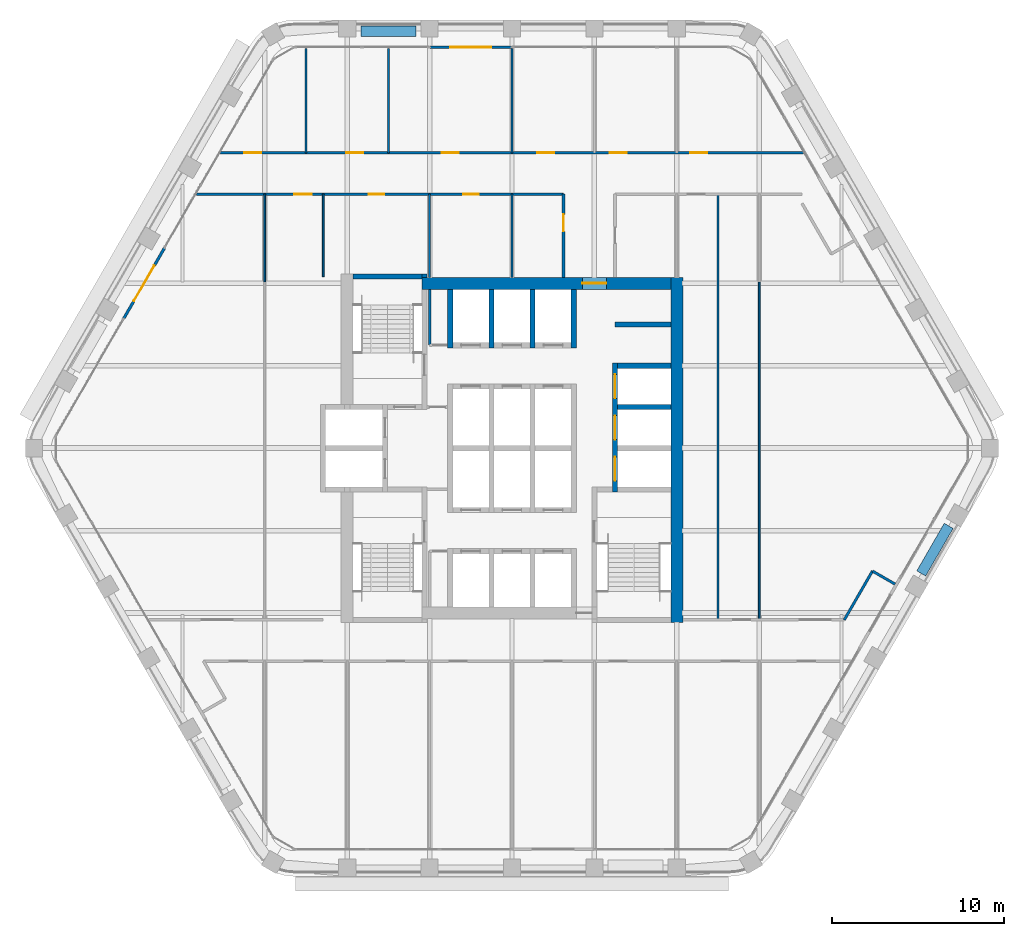
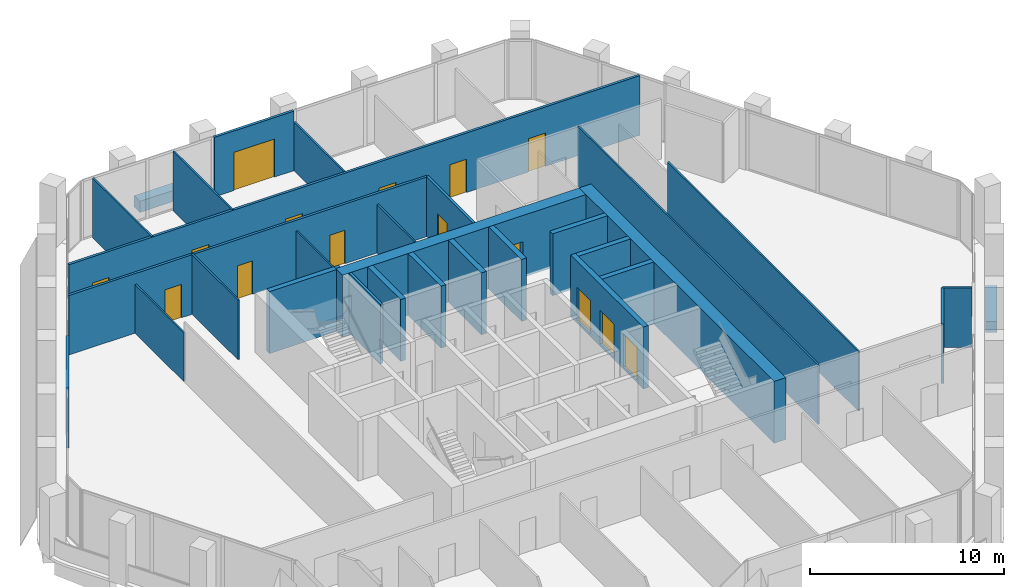
# One storey, part 11 of 15: 31 walls, 16 doors, 16 openings.
"""IFC4 building model written with IfcOpenShell, lengths in metres."""

from ifc_helpers import new_model, si_unit, direction, frame, frame_2d, origin, place, context, subcontext, project, spatial, rectangle, extrude, material, layer, layer_set, type_object, element, fill, save


model = new_model("IFC4")

# Units and contexts
model_context = context("Model", 3, precision=1e-05, world=origin(), true_north=direction((0.0, 1.0)))
body_context = subcontext(model_context, "Body", "Model", "MODEL_VIEW")
ifc_project = project(units=[si_unit("LENGTHUNIT", "METRE"), si_unit("AREAUNIT", "SQUARE_METRE"), si_unit("VOLUMEUNIT", "CUBIC_METRE"), si_unit("PLANEANGLEUNIT", "RADIAN"), si_unit("MASSUNIT", "GRAM", prefix="KILO")], contexts=[model_context])

# Site, building, storey
site_placement = place(None, origin())
site = spatial("IfcSite", under=ifc_project, at=site_placement, CompositionType="ELEMENT")
building_placement = place(site_placement, origin())
building = spatial("IfcBuilding", under=site, at=building_placement, Name="Kolab Exchange Tower", CompositionType="ELEMENT")
storey_placement = place(building_placement, frame((0.0, 0.0, 189.5)))
storey = spatial("IfcBuildingStorey", under=building, at=storey_placement, Name="L40", CompositionType="ELEMENT", Elevation=189.5)

# Wall, opening, door
ifc_material_1 = material(Name="Concrete C60/75", Category="concrete")
ifc_layer_1 = layer(ifc_material_1, 0.699951171875)
ifc_layer_set_1 = layer_set([ifc_layer_1], Name="Concrete C60/75")
wall_type_1 = type_object("IfcWallType", Name="CORE WALL 700 C60/75", PredefinedType="SHEAR", material=ifc_layer_set_1)
wall_1_placement = place(storey_placement, frame((-5.25, 9.60009765625, -0.14990234375), z_axis=(0.0, 0.0, 1.0), x_axis=(1.0, 0.0, 0.0)))
wall_1 = element("IfcWall", 1, at=wall_1_placement, inside=storey, type_object=wall_type_1, Name="wall/L40/core/031", PredefinedType="SHEAR", context=body_context, shape_type="SweptSolid", body=[
    extrude(rectangle(XDim=14.5, YDim=0.699951171875, at=frame_2d((7.25, 0.0))), origin(), (0.0, 0.0, 1.0), 3.89990234375),
])
opening_1_placement = place(wall_1_placement, frame((9.35009765625, 0.0, 0.14990234375)))
opening_1 = element("IfcOpeningElement", 2, at=opening_1_placement, cuts=wall_1, Name="Opening D5-010", PredefinedType="OPENING", context=body_context, shape_type="SweptSolid", body=[
    extrude(rectangle(XDim=1.39990234375, YDim=2.10009765625, at=frame_2d((0.699951171875, 1.050048828125))), frame((0.0, 0.35986328125, 0.0), z_axis=(0.0, -1.0, 0.0), x_axis=(1.0, 0.0, 0.0)), (0.0, 0.0, 1.0), 0.719970703125),
])
ifc_material_2 = material(Name="Steel S235", Category="steel")
door_type_1 = type_object("IfcDoorType", Name="CORE DOOR 1400 EI 120", OperationType="DOUBLE_DOOR_SINGLE_SWING", PredefinedType="DOOR", material=ifc_material_2)
door_1_placement = place(opening_1_placement, frame((1.39990234375, 0.0, 0.0), z_axis=(0.0, 0.0, 1.0), x_axis=(-1.0, 0.0, 0.0)))
door_1 = element("IfcDoor", 3, at=door_1_placement, inside=storey, type_object=door_type_1, Name="Core lobby door", OperationType="SINGLE_SWING_LEFT", OverallHeight=2.10009765625, OverallWidth=1.39990234375, PredefinedType="DOOR", context=body_context, shape_type="SweptSolid", body=[
    extrude(rectangle(XDim=1.39990234375, YDim=2.10009765625, at=frame_2d((0.699951171875, 1.050048828125))), frame((0.0, 0.02490234375, 0.0), z_axis=(0.0, -1.0, 0.0), x_axis=(1.0, 0.0, 0.0)), (0.0, 0.0, 1.0), 0.050048828125),
])
fill(opening_1, door_1)

# Wall
wall_2_placement = place(storey_placement, frame((9.60009765625, -10.14990234375, -0.14990234375), z_axis=(0.0, 0.0, 1.0), x_axis=(0.0, 1.0, 0.0)))
element("IfcWall", 4, at=wall_2_placement, inside=storey, type_object=wall_type_1, Name="wall/L40/core/058", PredefinedType="SHEAR", context=body_context, shape_type="SweptSolid", body=[
    extrude(rectangle(XDim=20.099853515625, YDim=0.699951171875, at=frame_2d((10.0498046875, 0.0))), origin(), (0.0, 0.0, 1.0), 3.89990234375),
])

# Wall, opening, door
ifc_material_3 = material(Name="Aluminium EN AW-6063 T6", Category="aluminium")
ifc_layer_2 = layer(ifc_material_3, 0.159912109375)
ifc_layer_set_2 = layer_set([ifc_layer_2], Name="Aluminium EN AW-6063 T6")
wall_type_2 = type_object("IfcWallType", Name="DOOR SURROUND WALL 160 ALUMINIUM FRAMED", PredefinedType="PARTITIONING", material=ifc_layer_set_2)
wall_3_placement = place(storey_placement, frame((-4.77001953125, 23.361572265625, 0.0), z_axis=(0.0, 0.0, 1.0), x_axis=(1.0, 0.0, 0.0)))
wall_3 = element("IfcWall", 5, at=wall_3_placement, inside=storey, type_object=wall_type_2, Name="Door surround wall", PredefinedType="PARTITIONING", context=body_context, shape_type="SweptSolid", body=[
    extrude(rectangle(XDim=4.739990234375, YDim=0.159912109375, at=frame_2d((2.3701171875, 0.0))), origin(), (0.0, 0.0, 1.0), 3.75),
])
opening_2_placement = place(wall_3_placement, frame((1.169921875, 0.0, 0.0)))
opening_2 = element("IfcOpeningElement", 6, at=opening_2_placement, cuts=wall_3, Name="Opening GD1-064", PredefinedType="OPENING", context=body_context, shape_type="SweptSolid", body=[
    extrude(rectangle(XDim=2.39990234375, YDim=2.39990234375, at=frame_2d((1.199951171875, 1.199951171875))), frame((0.0, 0.08984375, 0.0), z_axis=(0.0, -1.0, 0.0), x_axis=(1.0, 0.0, 0.0)), (0.0, 0.0, 1.0), 0.179931640625),
])
door_type_2 = type_object("IfcDoorType", Name="LOGGIA SLIDING GLASS DOOR 2400 X 2400", OperationType="DOUBLE_DOOR_SINGLE_SWING", PredefinedType="DOOR", material=ifc_material_3)
door_2_placement = place(opening_2_placement, origin())
door_2 = element("IfcDoor", 7, at=door_2_placement, inside=storey, type_object=door_type_2, Name="Loggia door", OperationType="DOUBLE_DOOR_SLIDING", OverallHeight=2.39990234375, OverallWidth=2.39990234375, PredefinedType="DOOR", context=body_context, shape_type="SweptSolid", body=[
    extrude(rectangle(XDim=2.39990234375, YDim=2.39990234375, at=frame_2d((1.199951171875, 1.199951171875))), frame((0.0, 0.02490234375, 0.0), z_axis=(0.0, -1.0, 0.0), x_axis=(1.0, 0.0, 0.0)), (0.0, 0.0, 1.0), 0.050048828125),
])
fill(opening_2, door_2)

wall_4_placement = place(storey_placement, frame((-22.61669921875, 7.5498046875, 0.0), z_axis=(0.0, 0.0, 1.0), x_axis=(0.5000167099, 0.866015756104, 0.0)))
wall_4 = element("IfcWall", 8, at=wall_4_placement, inside=storey, type_object=wall_type_2, Name="Door surround wall", PredefinedType="PARTITIONING", context=body_context, shape_type="SweptSolid", body=[
    extrude(rectangle(XDim=4.739990234375, YDim=0.159912109375, at=frame_2d((2.3701171875, 0.0))), origin(), (0.0, 0.0, 1.0), 3.75),
])
opening_3_placement = place(wall_4_placement, frame((1.169921875, 0.0, 0.0)))
opening_3 = element("IfcOpeningElement", 9, at=opening_3_placement, cuts=wall_4, Name="Opening GD1-069", PredefinedType="OPENING", context=body_context, shape_type="SweptSolid", body=[
    extrude(rectangle(XDim=2.39990234375, YDim=2.39990234375, at=frame_2d((1.199951171875, 1.199951171875))), frame((0.0, 0.08984375, 0.0), z_axis=(0.0, -1.0, 0.0), x_axis=(1.0, 0.0, 0.0)), (0.0, 0.0, 1.0), 0.179931640625),
])
door_3_placement = place(opening_3_placement, origin())
door_3 = element("IfcDoor", 10, at=door_3_placement, inside=storey, type_object=door_type_2, Name="Loggia door", OperationType="DOUBLE_DOOR_SLIDING", OverallHeight=2.39990234375, OverallWidth=2.39990234375, PredefinedType="DOOR", context=body_context, shape_type="SweptSolid", body=[
    extrude(rectangle(XDim=2.39990234375, YDim=2.39990234375, at=frame_2d((1.199951171875, 1.199951171875))), frame((0.0, 0.02490234375, 0.0), z_axis=(0.0, -1.0, 0.0), x_axis=(1.0, 0.0, 0.0)), (0.0, 0.0, 1.0), 0.050048828125),
])
fill(opening_3, door_3)

# Walls
ifc_material_4 = material(Name="Concrete C50/60", Category="concrete")
ifc_layer_3 = layer(ifc_material_4, 0.300048828125)
ifc_layer_set_3 = layer_set([ifc_layer_3], Name="Concrete C50/60")
wall_type_3 = type_object("IfcWallType", Name="LIFT SHAFT WALL 300 C50/60", PredefinedType="STANDARD", material=ifc_layer_set_3)
for number, where, z_axis, x_axis, name in (
    (11, (6.14990234375, 2.39990234375, -0.14990234375), (0.0, 0.0, 1.0), (1.0, 0.0, 0.0), "wall/L40/core/022"),
    (12, (6.14990234375, 4.800048828125, -0.14990234375), (0.0, 0.0, 1.0), (1.0, 0.0, 0.0), "wall/L40/core/026"),
):
    element("IfcWall", number, at=place(storey_placement, frame(where, z_axis=z_axis, x_axis=x_axis)), inside=storey, type_object=wall_type_3, Name=name, PredefinedType="STANDARD", context=body_context, shape_type="SweptSolid", body=[
        extrude(rectangle(XDim=3.10009765625, YDim=0.300048828125, at=frame_2d((1.550048828125, 0.0))), origin(), (0.0, 0.0, 1.0), 3.89990234375),
    ])
wall_5_placement = place(storey_placement, frame((6.0, 7.199951171875, -0.14990234375), z_axis=(0.0, 0.0, 1.0), x_axis=(1.0, 0.0, 0.0)))
element("IfcWall", 13, at=wall_5_placement, inside=storey, type_object=wall_type_3, Name="wall/L40/core/030", PredefinedType="STANDARD", context=body_context, shape_type="SweptSolid", body=[
    extrude(rectangle(XDim=3.25, YDim=0.300048828125, at=frame_2d((1.625, 0.0))), origin(), (0.0, 0.0, 1.0), 3.89990234375),
])
for number, where, z_axis, x_axis, name in (
    (14, (-3.60009765625, 5.85009765625, -0.14990234375), (0.0, 0.0, 1.0), (0.0, 1.0, 0.0), "wall/L40/core/045"),
    (15, (-1.199951171875, 5.85009765625, -0.14990234375), (0.0, 0.0, 1.0), (0.0, 1.0, 0.0), "wall/L40/core/048"),
    (16, (1.199951171875, 5.85009765625, -0.14990234375), (0.0, 0.0, 1.0), (0.0, 1.0, 0.0), "wall/L40/core/051"),
    (17, (3.60009765625, 5.85009765625, -0.14990234375), (0.0, 0.0, 1.0), (0.0, 1.0, 0.0), "wall/L40/core/054"),
):
    element("IfcWall", number, at=place(storey_placement, frame(where, z_axis=z_axis, x_axis=x_axis)), inside=storey, type_object=wall_type_3, Name=name, PredefinedType="STANDARD", context=body_context, shape_type="SweptSolid", body=[
        extrude(rectangle(XDim=3.39990234375, YDim=0.300048828125, at=frame_2d((1.699951171875, 0.0))), origin(), (0.0, 0.0, 1.0), 3.89990234375),
    ])

# Wall, openings, doors
wall_6_placement = place(storey_placement, frame((6.0, -2.550048828125, -0.14990234375), z_axis=(0.0, 0.0, 1.0), x_axis=(0.0, 1.0, 0.0)))
wall_6 = element("IfcWall", 18, at=wall_6_placement, inside=storey, type_object=wall_type_3, Name="wall/L40/core/057", PredefinedType="STANDARD", context=body_context, shape_type="SweptSolid", body=[
    extrude(rectangle(XDim=7.5, YDim=0.300048828125, at=frame_2d((3.75, 0.0))), origin(), (0.0, 0.0, 1.0), 3.89990234375),
])
opening_4_placement = place(wall_6_placement, frame((0.64990234375, 0.0, 0.14990234375)))
opening_4 = element("IfcOpeningElement", 19, at=opening_4_placement, cuts=wall_6, Name="Opening LD3-037", PredefinedType="OPENING", context=body_context, shape_type="SweptSolid", body=[
    extrude(rectangle(XDim=1.39990234375, YDim=2.10009765625, at=frame_2d((0.699951171875, 1.050048828125))), frame((0.0, 0.16015625, 0.0), z_axis=(0.0, -1.0, 0.0), x_axis=(1.0, 0.0, 0.0)), (0.0, 0.0, 1.0), 0.320068359375),
])
opening_5_placement = place(wall_6_placement, frame((3.050048828125, 0.0, 0.14990234375)))
opening_5 = element("IfcOpeningElement", 20, at=opening_5_placement, cuts=wall_6, Name="Opening LD3-038", PredefinedType="OPENING", context=body_context, shape_type="SweptSolid", body=[
    extrude(rectangle(XDim=1.39990234375, YDim=2.10009765625, at=frame_2d((0.699951171875, 1.050048828125))), frame((0.0, 0.16015625, 0.0), z_axis=(0.0, -1.0, 0.0), x_axis=(1.0, 0.0, 0.0)), (0.0, 0.0, 1.0), 0.320068359375),
])
opening_6_placement = place(wall_6_placement, frame((5.449951171875, 0.0, 0.14990234375)))
opening_6 = element("IfcOpeningElement", 21, at=opening_6_placement, cuts=wall_6, Name="Opening LD3-039", PredefinedType="OPENING", context=body_context, shape_type="SweptSolid", body=[
    extrude(rectangle(XDim=1.39990234375, YDim=2.10009765625, at=frame_2d((0.699951171875, 1.050048828125))), frame((0.0, 0.16015625, 0.0), z_axis=(0.0, -1.0, 0.0), x_axis=(1.0, 0.0, 0.0)), (0.0, 0.0, 1.0), 0.320068359375),
])
ifc_material_5 = material(Name="Stainless steel 316", Category="steel")
door_type_3 = type_object("IfcDoorType", Name="LANDING DOOR 1400 SERVICE", OperationType="DOUBLE_DOOR_SLIDING", PredefinedType="DOOR", material=ifc_material_5)
door_4_placement = place(opening_4_placement, origin())
door_4 = element("IfcDoor", 22, at=door_4_placement, inside=storey, type_object=door_type_3, Name="Landing door SV1", OperationType="DOUBLE_DOOR_SLIDING", OverallHeight=2.10009765625, OverallWidth=1.39990234375, PredefinedType="DOOR", context=body_context, shape_type="SweptSolid", body=[
    extrude(rectangle(XDim=1.39990234375, YDim=2.10009765625, at=frame_2d((0.699951171875, 1.050048828125))), frame((0.0, 0.02490234375, 0.0), z_axis=(0.0, -1.0, 0.0), x_axis=(1.0, 0.0, 0.0)), (0.0, 0.0, 1.0), 0.050048828125),
])
fill(opening_4, door_4)
door_5_placement = place(opening_5_placement, origin())
door_5 = element("IfcDoor", 23, at=door_5_placement, inside=storey, type_object=door_type_3, Name="Landing door SV2", OperationType="DOUBLE_DOOR_SLIDING", OverallHeight=2.10009765625, OverallWidth=1.39990234375, PredefinedType="DOOR", context=body_context, shape_type="SweptSolid", body=[
    extrude(rectangle(XDim=1.39990234375, YDim=2.10009765625, at=frame_2d((0.699951171875, 1.050048828125))), frame((0.0, 0.02490234375, 0.0), z_axis=(0.0, -1.0, 0.0), x_axis=(1.0, 0.0, 0.0)), (0.0, 0.0, 1.0), 0.050048828125),
])
fill(opening_5, door_5)
door_6_placement = place(opening_6_placement, origin())
door_6 = element("IfcDoor", 24, at=door_6_placement, inside=storey, type_object=door_type_3, Name="Landing door SV3", OperationType="DOUBLE_DOOR_SLIDING", OverallHeight=2.10009765625, OverallWidth=1.39990234375, PredefinedType="DOOR", context=body_context, shape_type="SweptSolid", body=[
    extrude(rectangle(XDim=1.39990234375, YDim=2.10009765625, at=frame_2d((0.699951171875, 1.050048828125))), frame((0.0, 0.02490234375, 0.0), z_axis=(0.0, -1.0, 0.0), x_axis=(1.0, 0.0, 0.0)), (0.0, 0.0, 1.0), 0.050048828125),
])
fill(opening_6, door_6)

# Walls
ifc_material_6 = material(Name="Gypsum board", Category="gypsum")
ifc_layer_4 = layer(ifc_material_6, 0.10009765625)
ifc_layer_set_4 = layer_set([ifc_layer_4], Name="Gypsum board")
wall_type_4 = type_object("IfcWallType", Name="PARTITION 100", PredefinedType="PARTITIONING", material=ifc_layer_set_4)
wall_7_placement = place(storey_placement, frame((14.39990234375, -10.0, 0.0), z_axis=(0.0, 0.0, 1.0), x_axis=(0.0, 1.0, 0.0)))
element("IfcWall", 25, at=wall_7_placement, inside=storey, type_object=wall_type_4, Name="Partition 001", PredefinedType="PARTITIONING", context=body_context, shape_type="SweptSolid", body=[
    extrude(rectangle(XDim=19.693603515625, YDim=0.10009765625, at=frame_2d((9.8466796875, 0.0))), origin(), (0.0, 0.0, 1.0), 3.75),
])
wall_8_placement = place(storey_placement, frame((12.0, -10.0, 0.0), z_axis=(0.0, 0.0, 1.0), x_axis=(0.0, 1.0, 0.0)))
element("IfcWall", 26, at=wall_8_placement, inside=storey, type_object=wall_type_4, Name="Partition 002", PredefinedType="PARTITIONING", context=body_context, shape_type="SweptSolid", body=[
    extrude(rectangle(XDim=24.800048828125, YDim=0.10009765625, at=frame_2d((12.39990234375, 0.0))), origin(), (0.0, 0.0, 1.0), 3.75),
])
wall_9_placement = place(storey_placement, frame((0.0, 9.949951171875, 0.0), z_axis=(0.0, 0.0, 1.0), x_axis=(0.0, 1.0, 0.0)))
element("IfcWall", 27, at=wall_9_placement, inside=storey, type_object=wall_type_4, Name="Partition 011", PredefinedType="PARTITIONING", context=body_context, shape_type="SweptSolid", body=[
    extrude(rectangle(XDim=4.85009765625, YDim=0.10009765625, at=frame_2d((2.425048828125, 0.0))), origin(), (0.0, 0.0, 1.0), 3.06591796875),
])
wall_10_placement = place(storey_placement, frame((0.0, 17.199951171875, 0.0), z_axis=(0.0, 0.0, 1.0), x_axis=(0.0, 1.0, 0.0)))
element("IfcWall", 28, at=wall_10_placement, inside=storey, type_object=wall_type_4, Name="Partition 012", PredefinedType="PARTITIONING", context=body_context, shape_type="SweptSolid", body=[
    extrude(rectangle(XDim=6.08154296875, YDim=0.10009765625, at=frame_2d((3.040771484375, 0.0))), origin(), (0.0, 0.0, 1.0), 3.06591796875),
])
wall_11_placement = place(storey_placement, frame((-4.800048828125, 9.949951171875, 0.0), z_axis=(0.0, 0.0, 1.0), x_axis=(0.0, 1.0, 0.0)))
element("IfcWall", 29, at=wall_11_placement, inside=storey, type_object=wall_type_4, Name="Partition 014", PredefinedType="PARTITIONING", context=body_context, shape_type="SweptSolid", body=[
    extrude(rectangle(XDim=4.85009765625, YDim=0.10009765625, at=frame_2d((2.425048828125, 0.0))), origin(), (0.0, 0.0, 1.0), 3.06591796875),
])
wall_12_placement = place(storey_placement, frame((-7.199951171875, 17.199951171875, 0.0), z_axis=(0.0, 0.0, 1.0), x_axis=(0.0, 1.0, 0.0)))
element("IfcWall", 30, at=wall_12_placement, inside=storey, type_object=wall_type_4, Name="Partition 017", PredefinedType="PARTITIONING", context=body_context, shape_type="SweptSolid", body=[
    extrude(rectangle(XDim=6.071533203125, YDim=0.10009765625, at=frame_2d((3.03564453125, 0.0))), origin(), (0.0, 0.0, 1.0), 3.75),
])
wall_13_placement = place(storey_placement, frame((-11.0, 10.0, 0.0), z_axis=(0.0, 0.0, 1.0), x_axis=(0.0, 1.0, 0.0)))
element("IfcWall", 31, at=wall_13_placement, inside=storey, type_object=wall_type_4, Name="Partition 019", PredefinedType="PARTITIONING", context=body_context, shape_type="SweptSolid", body=[
    extrude(rectangle(XDim=4.800048828125, YDim=0.10009765625, at=frame_2d((2.39990234375, 0.0))), origin(), (0.0, 0.0, 1.0), 3.75),
])
wall_14_placement = place(storey_placement, frame((-12.0, 17.199951171875, 0.0), z_axis=(0.0, 0.0, 1.0), x_axis=(0.0, 1.0, 0.0)))
element("IfcWall", 32, at=wall_14_placement, inside=storey, type_object=wall_type_4, Name="Partition 020", PredefinedType="PARTITIONING", context=body_context, shape_type="SweptSolid", body=[
    extrude(rectangle(XDim=6.071533203125, YDim=0.10009765625, at=frame_2d((3.03564453125, 0.0))), origin(), (0.0, 0.0, 1.0), 3.75),
])
wall_15_placement = place(storey_placement, frame((-14.39990234375, 9.693603515625, 0.0), z_axis=(0.0, 0.0, 1.0), x_axis=(0.0, 1.0, 0.0)))
element("IfcWall", 33, at=wall_15_placement, inside=storey, type_object=wall_type_4, Name="Partition 022", PredefinedType="PARTITIONING", context=body_context, shape_type="SweptSolid", body=[
    extrude(rectangle(XDim=5.1064453125, YDim=0.10009765625, at=frame_2d((2.55322265625, 0.0))), origin(), (0.0, 0.0, 1.0), 3.06591796875),
])

# Wall, opening, door
ifc_layer_5 = layer(ifc_material_6, 0.14990234375)
ifc_layer_set_5 = layer_set([ifc_layer_5], Name="Gypsum board")
wall_type_5 = type_object("IfcWallType", Name="PARTITION 150 FIRE-RATED", PredefinedType="PARTITIONING", material=ifc_layer_set_5)
wall_16_placement = place(storey_placement, frame((3.0, 9.949951171875, 0.0), z_axis=(0.0, 0.0, 1.0), x_axis=(0.0, 1.0, 0.0)))
wall_16 = element("IfcWall", 34, at=wall_16_placement, inside=storey, type_object=wall_type_5, Name="Partition 009", PredefinedType="PARTITIONING", context=body_context, shape_type="SweptSolid", body=[
    extrude(rectangle(XDim=4.85009765625, YDim=0.14990234375, at=frame_2d((2.425048828125, 0.0))), origin(), (0.0, 0.0, 1.0), 3.75),
])
opening_7_placement = place(wall_16_placement, frame((2.675048828125, 0.0, 0.0)))
opening_7 = element("IfcOpeningElement", 35, at=opening_7_placement, cuts=wall_16, Name="Opening D1-519", PredefinedType="OPENING", context=body_context, shape_type="SweptSolid", body=[
    extrude(rectangle(XDim=1.0, YDim=2.10009765625, at=frame_2d((0.5, 1.050048828125))), frame((0.0, 0.0849609375, 0.0), z_axis=(0.0, -1.0, 0.0), x_axis=(1.0, 0.0, 0.0)), (0.0, 0.0, 1.0), 0.169921875),
])
door_type_4 = type_object("IfcDoorType", Name="FLUSH DOOR 1000 FD60", OperationType="SINGLE_SWING_LEFT", PredefinedType="DOOR", material=ifc_material_2)
door_7_placement = place(opening_7_placement, origin())
door_7 = element("IfcDoor", 36, at=door_7_placement, inside=storey, type_object=door_type_4, Name="Door L40-033", OperationType="SINGLE_SWING_RIGHT", OverallHeight=2.10009765625, OverallWidth=1.0, PredefinedType="DOOR", context=body_context, shape_type="SweptSolid", body=[
    extrude(rectangle(XDim=1.0, YDim=2.10009765625, at=frame_2d((0.5, 1.050048828125))), frame((0.0, 0.02490234375, 0.0), z_axis=(0.0, -1.0, 0.0), x_axis=(1.0, 0.0, 0.0)), (0.0, 0.0, 1.0), 0.050048828125),
])
fill(opening_7, door_7)

# Walls
wall_17_placement = place(storey_placement, frame((-4.800048828125, 6.0, 0.0), z_axis=(0.0, 0.0, 1.0), x_axis=(0.0, 1.0, 0.0)))
element("IfcWall", 37, at=wall_17_placement, inside=storey, type_object=wall_type_5, Name="Partition 016", PredefinedType="PARTITIONING", context=body_context, shape_type="SweptSolid", body=[
    extrude(rectangle(XDim=3.25, YDim=0.14990234375, at=frame_2d((1.625, 0.0))), origin(), (0.0, 0.0, 1.0), 3.75),
])
wall_18_placement = place(storey_placement, frame((19.3544921875, -10.0, 0.0), z_axis=(0.0, 0.0, 1.0), x_axis=(0.500009969958, 0.86601964755, 0.0)))
element("IfcWall", 38, at=wall_18_placement, inside=storey, type_object=wall_type_5, Name="Partition 025", PredefinedType="PARTITIONING", context=body_context, shape_type="SweptSolid", body=[
    extrude(rectangle(XDim=3.283203125, YDim=0.14990234375, at=frame_2d((1.6416015625, 0.0))), origin(), (0.0, 0.0, 1.0), 3.75),
])
wall_19_placement = place(storey_placement, frame((20.99609375, -7.15673828125, 0.0), z_axis=(0.0, 0.0, 1.0), x_axis=(0.865960906633, -0.500111695708, 0.0)))
element("IfcWall", 39, at=wall_19_placement, inside=storey, type_object=wall_type_5, Name="Partition 026", PredefinedType="PARTITIONING", context=body_context, shape_type="SweptSolid", body=[
    extrude(rectangle(XDim=1.520263671875, YDim=0.14990234375, at=frame_2d((0.76025390625, 0.0))), origin(), (0.0, 0.0, 1.0), 3.75),
])

# Wall, openings, doors
wall_20_placement = place(storey_placement, frame((-18.384521484375, 14.800048828125, 0.0), z_axis=(0.0, 0.0, 1.0), x_axis=(1.0, 0.0, 0.0)))
wall_20 = element("IfcWall", 40, at=wall_20_placement, inside=storey, type_object=wall_type_5, Name="Partition 034", PredefinedType="PARTITIONING", context=body_context, shape_type="SweptSolid", body=[
    extrude(rectangle(XDim=21.384521484375, YDim=0.14990234375, at=frame_2d((10.6923828125, 0.0))), origin(), (0.0, 0.0, 1.0), 3.75),
])
opening_8_placement = place(wall_20_placement, frame((10.03466796875, 0.0, 0.0)))
opening_8 = element("IfcOpeningElement", 41, at=opening_8_placement, cuts=wall_20, Name="Opening D3-055", PredefinedType="OPENING", context=body_context, shape_type="SweptSolid", body=[
    extrude(rectangle(XDim=0.89990234375, YDim=2.10009765625, at=frame_2d((0.449951171875, 1.050048828125))), frame((0.0, 0.0849609375, 0.0), z_axis=(0.0, -1.0, 0.0), x_axis=(1.0, 0.0, 0.0)), (0.0, 0.0, 1.0), 0.169921875),
])
opening_9_placement = place(wall_20_placement, frame((15.53466796875, 0.0, 0.0)))
opening_9 = element("IfcOpeningElement", 42, at=opening_9_placement, cuts=wall_20, Name="Opening D3-056", PredefinedType="OPENING", context=body_context, shape_type="SweptSolid", body=[
    extrude(rectangle(XDim=0.89990234375, YDim=2.10009765625, at=frame_2d((0.449951171875, 1.050048828125))), frame((0.0, 0.0849609375, 0.0), z_axis=(0.0, -1.0, 0.0), x_axis=(1.0, 0.0, 0.0)), (0.0, 0.0, 1.0), 0.169921875),
])
opening_10_placement = place(wall_20_placement, frame((5.709716796875, 0.0, 0.0)))
opening_10 = element("IfcOpeningElement", 43, at=opening_10_placement, cuts=wall_20, Name="Opening D1-536", PredefinedType="OPENING", context=body_context, shape_type="SweptSolid", body=[
    extrude(rectangle(XDim=1.0, YDim=2.10009765625, at=frame_2d((0.5, 1.050048828125))), frame((0.0, 0.0849609375, 0.0), z_axis=(0.0, -1.0, 0.0), x_axis=(1.0, 0.0, 0.0)), (0.0, 0.0, 1.0), 0.169921875),
])
door_8_placement = place(opening_10_placement, frame((1.0, 0.0, 0.0), z_axis=(0.0, 0.0, 1.0), x_axis=(-1.0, 0.0, 0.0)))
door_8 = element("IfcDoor", 44, at=door_8_placement, inside=storey, type_object=door_type_4, Name="Door L40-052", OperationType="SINGLE_SWING_RIGHT", OverallHeight=2.10009765625, OverallWidth=1.0, PredefinedType="DOOR", context=body_context, shape_type="SweptSolid", body=[
    extrude(rectangle(XDim=1.0, YDim=2.10009765625, at=frame_2d((0.5, 1.050048828125))), frame((0.0, 0.02490234375, 0.0), z_axis=(0.0, -1.0, 0.0), x_axis=(1.0, 0.0, 0.0)), (0.0, 0.0, 1.0), 0.050048828125),
])
fill(opening_10, door_8)
door_type_5 = type_object("IfcDoorType", Name="FLUSH DOOR 900 FD60", OperationType="SINGLE_SWING_LEFT", PredefinedType="DOOR", material=ifc_material_2)
door_9_placement = place(opening_8_placement, frame((0.89990234375, 0.0, 0.0), z_axis=(0.0, 0.0, 1.0), x_axis=(-1.0, 0.0, 0.0)))
door_9 = element("IfcDoor", 45, at=door_9_placement, inside=storey, type_object=door_type_5, Name="Door L40-031", OperationType="SINGLE_SWING_LEFT", OverallHeight=2.10009765625, OverallWidth=0.89990234375, PredefinedType="DOOR", context=body_context, shape_type="SweptSolid", body=[
    extrude(rectangle(XDim=0.89990234375, YDim=2.10009765625, at=frame_2d((0.449951171875, 1.050048828125))), frame((0.0, 0.02490234375, 0.0), z_axis=(0.0, -1.0, 0.0), x_axis=(1.0, 0.0, 0.0)), (0.0, 0.0, 1.0), 0.050048828125),
])
fill(opening_8, door_9)
door_10_placement = place(opening_9_placement, frame((0.89990234375, 0.0, 0.0), z_axis=(0.0, 0.0, 1.0), x_axis=(-1.0, 0.0, 0.0)))
door_10 = element("IfcDoor", 46, at=door_10_placement, inside=storey, type_object=door_type_5, Name="Door L40-032", OperationType="SINGLE_SWING_LEFT", OverallHeight=2.10009765625, OverallWidth=0.89990234375, PredefinedType="DOOR", context=body_context, shape_type="SweptSolid", body=[
    extrude(rectangle(XDim=0.89990234375, YDim=2.10009765625, at=frame_2d((0.449951171875, 1.050048828125))), frame((0.0, 0.02490234375, 0.0), z_axis=(0.0, -1.0, 0.0), x_axis=(1.0, 0.0, 0.0)), (0.0, 0.0, 1.0), 0.050048828125),
])
fill(opening_9, door_10)

wall_21_placement = place(storey_placement, frame((-16.9990234375, 17.199951171875, 0.0), z_axis=(0.0, 0.0, 1.0), x_axis=(1.0, 0.0, 0.0)))
wall_21 = element("IfcWall", 47, at=wall_21_placement, inside=storey, type_object=wall_type_5, Name="Partition 036", PredefinedType="PARTITIONING", context=body_context, shape_type="SweptSolid", body=[
    extrude(rectangle(XDim=33.998046875, YDim=0.14990234375, at=frame_2d((16.9990234375, 0.0))), origin(), (0.0, 0.0, 1.0), 3.75),
])
opening_11_placement = place(wall_21_placement, frame((1.399658203125, 0.0, 0.0)))
opening_11 = element("IfcOpeningElement", 48, at=opening_11_placement, cuts=wall_21, Name="Opening D1-520", PredefinedType="OPENING", context=body_context, shape_type="SweptSolid", body=[
    extrude(rectangle(XDim=1.0, YDim=2.10009765625, at=frame_2d((0.5, 1.050048828125))), frame((0.0, 0.0849609375, 0.0), z_axis=(0.0, -1.0, 0.0), x_axis=(1.0, 0.0, 0.0)), (0.0, 0.0, 1.0), 0.169921875),
])
opening_12_placement = place(wall_21_placement, frame((7.333984375, 0.0, 0.0)))
opening_12 = element("IfcOpeningElement", 49, at=opening_12_placement, cuts=wall_21, Name="Opening D1-521", PredefinedType="OPENING", context=body_context, shape_type="SweptSolid", body=[
    extrude(rectangle(XDim=1.0, YDim=2.10009765625, at=frame_2d((0.5, 1.050048828125))), frame((0.0, 0.0849609375, 0.0), z_axis=(0.0, -1.0, 0.0), x_axis=(1.0, 0.0, 0.0)), (0.0, 0.0, 1.0), 0.169921875),
])
opening_13_placement = place(wall_21_placement, frame((12.89892578125, 0.0, 0.0)))
opening_13 = element("IfcOpeningElement", 50, at=opening_13_placement, cuts=wall_21, Name="Opening D1-522", PredefinedType="OPENING", context=body_context, shape_type="SweptSolid", body=[
    extrude(rectangle(XDim=1.0, YDim=2.10009765625, at=frame_2d((0.5, 1.050048828125))), frame((0.0, 0.0849609375, 0.0), z_axis=(0.0, -1.0, 0.0), x_axis=(1.0, 0.0, 0.0)), (0.0, 0.0, 1.0), 0.169921875),
])
opening_14_placement = place(wall_21_placement, frame((18.464111328125, 0.0, 0.0)))
opening_14 = element("IfcOpeningElement", 51, at=opening_14_placement, cuts=wall_21, Name="Opening D1-523", PredefinedType="OPENING", context=body_context, shape_type="SweptSolid", body=[
    extrude(rectangle(XDim=1.0, YDim=2.10009765625, at=frame_2d((0.5, 1.050048828125))), frame((0.0, 0.0849609375, 0.0), z_axis=(0.0, -1.0, 0.0), x_axis=(1.0, 0.0, 0.0)), (0.0, 0.0, 1.0), 0.169921875),
])
opening_15_placement = place(wall_21_placement, frame((22.68408203125, 0.0, 0.0)))
opening_15 = element("IfcOpeningElement", 52, at=opening_15_placement, cuts=wall_21, Name="Opening D1-524", PredefinedType="OPENING", context=body_context, shape_type="SweptSolid", body=[
    extrude(rectangle(XDim=1.0, YDim=2.10009765625, at=frame_2d((0.5, 1.050048828125))), frame((0.0, 0.0849609375, 0.0), z_axis=(0.0, -1.0, 0.0), x_axis=(1.0, 0.0, 0.0)), (0.0, 0.0, 1.0), 0.169921875),
])
opening_16_placement = place(wall_21_placement, frame((27.37890625, 0.0, 0.0)))
opening_16 = element("IfcOpeningElement", 53, at=opening_16_placement, cuts=wall_21, Name="Opening D1-525", PredefinedType="OPENING", context=body_context, shape_type="SweptSolid", body=[
    extrude(rectangle(XDim=1.0, YDim=2.10009765625, at=frame_2d((0.5, 1.050048828125))), frame((0.0, 0.0849609375, 0.0), z_axis=(0.0, -1.0, 0.0), x_axis=(1.0, 0.0, 0.0)), (0.0, 0.0, 1.0), 0.169921875),
])
door_11_placement = place(opening_11_placement, origin())
door_11 = element("IfcDoor", 54, at=door_11_placement, inside=storey, type_object=door_type_4, Name="Door L40-034", OperationType="SINGLE_SWING_LEFT", OverallHeight=2.10009765625, OverallWidth=1.0, PredefinedType="DOOR", context=body_context, shape_type="SweptSolid", body=[
    extrude(rectangle(XDim=1.0, YDim=2.10009765625, at=frame_2d((0.5, 1.050048828125))), frame((0.0, 0.02490234375, 0.0), z_axis=(0.0, -1.0, 0.0), x_axis=(1.0, 0.0, 0.0)), (0.0, 0.0, 1.0), 0.050048828125),
])
fill(opening_11, door_11)
door_12_placement = place(opening_12_placement, origin())
door_12 = element("IfcDoor", 55, at=door_12_placement, inside=storey, type_object=door_type_4, Name="Door L40-035", OperationType="SINGLE_SWING_RIGHT", OverallHeight=2.10009765625, OverallWidth=1.0, PredefinedType="DOOR", context=body_context, shape_type="SweptSolid", body=[
    extrude(rectangle(XDim=1.0, YDim=2.10009765625, at=frame_2d((0.5, 1.050048828125))), frame((0.0, 0.02490234375, 0.0), z_axis=(0.0, -1.0, 0.0), x_axis=(1.0, 0.0, 0.0)), (0.0, 0.0, 1.0), 0.050048828125),
])
fill(opening_12, door_12)
door_13_placement = place(opening_13_placement, origin())
door_13 = element("IfcDoor", 56, at=door_13_placement, inside=storey, type_object=door_type_4, Name="Door L40-036", OperationType="SINGLE_SWING_RIGHT", OverallHeight=2.10009765625, OverallWidth=1.0, PredefinedType="DOOR", context=body_context, shape_type="SweptSolid", body=[
    extrude(rectangle(XDim=1.0, YDim=2.10009765625, at=frame_2d((0.5, 1.050048828125))), frame((0.0, 0.02490234375, 0.0), z_axis=(0.0, -1.0, 0.0), x_axis=(1.0, 0.0, 0.0)), (0.0, 0.0, 1.0), 0.050048828125),
])
fill(opening_13, door_13)
door_14_placement = place(opening_14_placement, origin())
door_14 = element("IfcDoor", 57, at=door_14_placement, inside=storey, type_object=door_type_4, Name="Door L40-037", OperationType="SINGLE_SWING_LEFT", OverallHeight=2.10009765625, OverallWidth=1.0, PredefinedType="DOOR", context=body_context, shape_type="SweptSolid", body=[
    extrude(rectangle(XDim=1.0, YDim=2.10009765625, at=frame_2d((0.5, 1.050048828125))), frame((0.0, 0.02490234375, 0.0), z_axis=(0.0, -1.0, 0.0), x_axis=(1.0, 0.0, 0.0)), (0.0, 0.0, 1.0), 0.050048828125),
])
fill(opening_14, door_14)
door_15_placement = place(opening_15_placement, origin())
door_15 = element("IfcDoor", 58, at=door_15_placement, inside=storey, type_object=door_type_4, Name="Door L40-038", OperationType="SINGLE_SWING_LEFT", OverallHeight=2.10009765625, OverallWidth=1.0, PredefinedType="DOOR", context=body_context, shape_type="SweptSolid", body=[
    extrude(rectangle(XDim=1.0, YDim=2.10009765625, at=frame_2d((0.5, 1.050048828125))), frame((0.0, 0.02490234375, 0.0), z_axis=(0.0, -1.0, 0.0), x_axis=(1.0, 0.0, 0.0)), (0.0, 0.0, 1.0), 0.050048828125),
])
fill(opening_15, door_15)
door_16_placement = place(opening_16_placement, origin())
door_16 = element("IfcDoor", 59, at=door_16_placement, inside=storey, type_object=door_type_4, Name="Door L40-039", OperationType="SINGLE_SWING_LEFT", OverallHeight=2.10009765625, OverallWidth=1.0, PredefinedType="DOOR", context=body_context, shape_type="SweptSolid", body=[
    extrude(rectangle(XDim=1.0, YDim=2.10009765625, at=frame_2d((0.5, 1.050048828125))), frame((0.0, 0.02490234375, 0.0), z_axis=(0.0, -1.0, 0.0), x_axis=(1.0, 0.0, 0.0)), (0.0, 0.0, 1.0), 0.050048828125),
])
fill(opening_16, door_16)

# Walls
ifc_material_7 = material(Name="Granite facing", Category="masonry")
ifc_layer_6 = layer(ifc_material_7, 0.0400390625)
ifc_material_8 = material(Name="Concrete C40/50 precast", Category="concrete")
ifc_layer_7 = layer(ifc_material_8, 0.56005859375)
ifc_layer_set_6 = layer_set([ifc_layer_6, ifc_layer_7], Name="Concrete C40/50 precast")
wall_type_6 = type_object("IfcWallType", Name="PLANTER BOX 600 X 700 SOIL DEPTH 550", PredefinedType="USERDEFINED", material=ifc_layer_set_6)
wall_22_placement = place(storey_placement, frame((-8.800048828125, 24.29150390625, 0.0), z_axis=(0.0, 0.0, 1.0), x_axis=(1.0, 0.0, 0.0)))
element("IfcWall", 60, at=wall_22_placement, inside=storey, type_object=wall_type_6, Name="Planter", ObjectType="PLANTER", PredefinedType="USERDEFINED", context=body_context, shape_type="SweptSolid", body=[
    extrude(rectangle(XDim=3.199951171875, YDim=0.60009765625, at=frame_2d((1.60009765625, 0.0))), origin(), (0.0, 0.0, 1.0), 0.699951171875),
])
wall_23_placement = place(storey_placement, frame((25.43701171875, -4.524658203125, 0.0), z_axis=(0.0, 0.0, 1.0), x_axis=(-0.499938187974, -0.866061088033, 0.0)))
element("IfcWall", 61, at=wall_23_placement, inside=storey, type_object=wall_type_6, Name="Planter", ObjectType="PLANTER", PredefinedType="USERDEFINED", context=body_context, shape_type="SweptSolid", body=[
    extrude(rectangle(XDim=3.2001953125, YDim=0.60009765625, at=frame_2d((1.60009765625, 0.0))), origin(), (0.0, 0.0, 1.0), 0.699951171875),
])
ifc_layer_8 = layer(ifc_material_4, 0.300048828125)
ifc_layer_set_7 = layer_set([ifc_layer_8], Name="Concrete C50/60")
wall_type_7 = type_object("IfcWallType", Name="STAIR ENCLOSURE WALL 300 C50/60", PredefinedType="STANDARD", material=ifc_layer_set_7)
wall_24_placement = place(storey_placement, frame((-9.25, 10.0, -0.14990234375), z_axis=(0.0, 0.0, 1.0), x_axis=(1.0, 0.0, 0.0)))
element("IfcWall", 62, at=wall_24_placement, inside=storey, type_object=wall_type_7, Name="wall/L40/core/032", PredefinedType="STANDARD", context=body_context, shape_type="SweptSolid", body=[
    extrude(rectangle(XDim=4.0, YDim=0.300048828125, at=frame_2d((2.0, 0.0))), origin(), (0.0, 0.0, 1.0), 3.89990234375),
])
wall_25_placement = place(storey_placement, frame((-5.10009765625, 9.949951171875, -0.14990234375), z_axis=(0.0, 0.0, 1.0), x_axis=(0.0, 1.0, 0.0)))
element("IfcWall", 63, at=wall_25_placement, inside=storey, type_object=wall_type_7, Name="wall/L40/core/042", PredefinedType="STANDARD", context=body_context, shape_type="SweptSolid", body=[
    extrude(rectangle(XDim=0.199951171875, YDim=0.300048828125, at=frame_2d((0.10009765625, 0.0))), origin(), (0.0, 0.0, 1.0), 3.89990234375),
])

save(model, "model.ifc")
